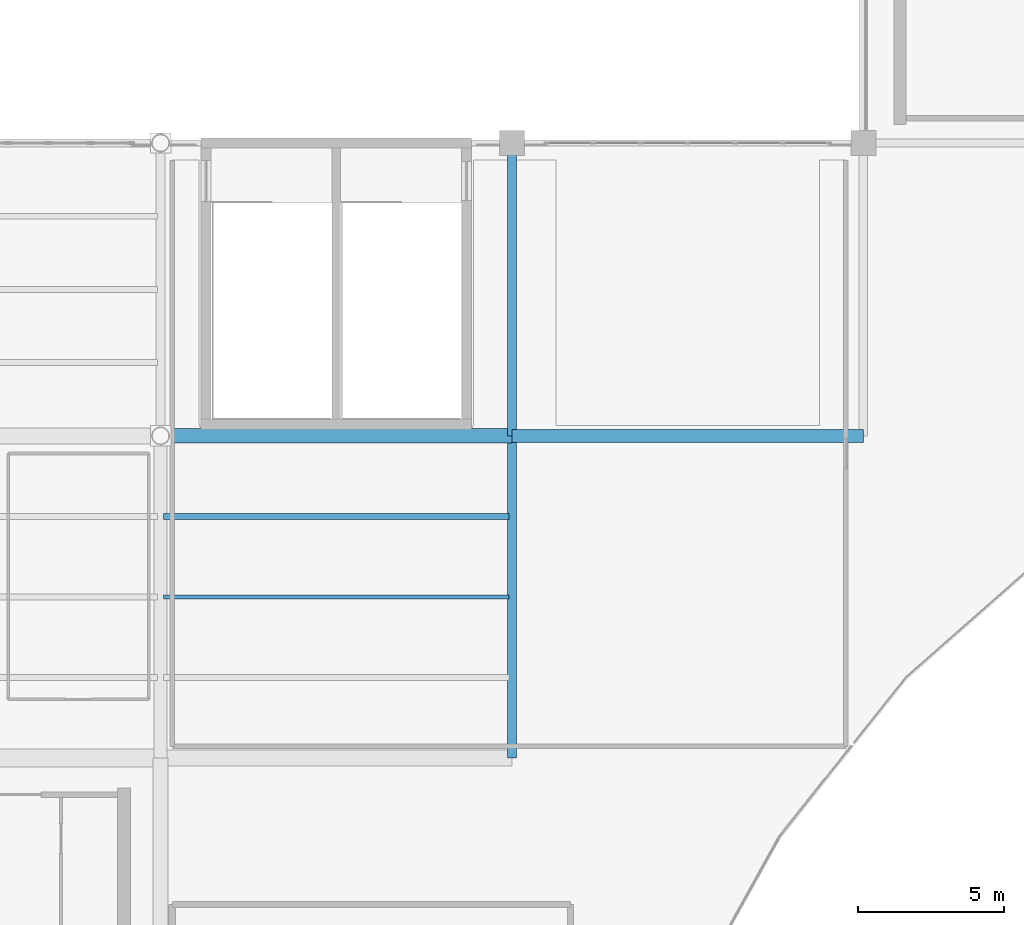
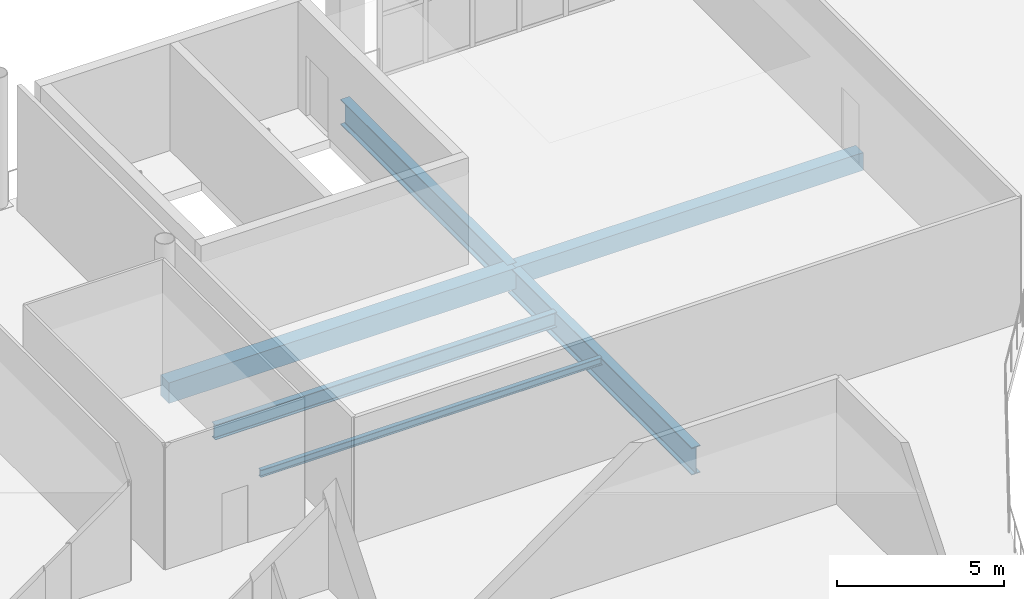
# One storey, part 24 of 49: 6 beams.
"""IFC4 building model written with IfcOpenShell, lengths in metres."""

from ifc_helpers import new_model, si_unit, direction, frame, origin, origin_2d, place, context, subcontext, project, spatial, rectangle, i_section, extrude, material, material_profile, profile_set, type_object, element, save


model = new_model("IFC4")

# Units and contexts
model_context = context("Model", 3, precision=1e-05, world=origin(), true_north=direction((0.0, 1.0)))
body_context = subcontext(model_context, "Body", "Model", "MODEL_VIEW")
ifc_project = project(units=[si_unit("LENGTHUNIT", "METRE"), si_unit("AREAUNIT", "SQUARE_METRE"), si_unit("VOLUMEUNIT", "CUBIC_METRE"), si_unit("PLANEANGLEUNIT", "RADIAN"), si_unit("MASSUNIT", "GRAM", prefix="KILO")], contexts=[model_context])

# Site, building, storey
site_placement = place(None, origin())
site = spatial("IfcSite", under=ifc_project, at=site_placement, CompositionType="ELEMENT")
building_placement = place(site_placement, origin())
building = spatial("IfcBuilding", under=site, at=building_placement, Name="Brinegate Civic Arena", CompositionType="ELEMENT")
storey_placement = place(building_placement, frame((0.0, 0.0, 24.60009765625)))
storey = spatial("IfcBuildingStorey", under=building, at=storey_placement, Name="L05", CompositionType="ELEMENT", Elevation=24.60009765625)

# Beams
ifc_material_1 = material(Name="Steel S355", Category="steel")
ifc_material_profile_1 = material_profile(ifc_material_1, i_section(OverallWidth=0.300048828125, OverallDepth=1.0, WebThickness=0.01904296875, FlangeThickness=0.031982421875, FilletRadius=0.02392578125, at=origin_2d()), Name="W1000X321")
ifc_profile_set_1 = profile_set([ifc_material_profile_1], Name="Steel S355")
beam_type_1 = type_object("IfcBeamType", Name="GIRDER-W1000X321", PredefinedType="BEAM", material=ifc_profile_set_1)
beam_1_placement = place(storey_placement, frame((72.0, 93.0, -0.830078125), z_axis=(0.0, 1.0, 0.0), x_axis=(-1.0, 0.0, 0.0)))
element("IfcBeam", 1, at=beam_1_placement, inside=storey, type_object=beam_type_1, Name="Floor Girder BM-L05-GY-06-09", PredefinedType="BEAM", context=body_context, shape_type="SweptSolid", body=[
    extrude(i_section(OverallWidth=0.300048828125, OverallDepth=1.0, WebThickness=0.01904296875, FlangeThickness=0.031982421875, FilletRadius=0.02392578125, at=origin_2d()), origin(), (0.0, 0.0, 1.0), 11.0),
])
ifc_material_profile_2 = material_profile(ifc_material_1, i_section(OverallWidth=0.30810546875, OverallDepth=0.927001953125, WebThickness=0.01904296875, FlangeThickness=0.031982421875, FilletRadius=0.02392578125, at=origin_2d()), Name="W920X289")
ifc_profile_set_2 = profile_set([ifc_material_profile_2], Name="Steel S355")
beam_type_2 = type_object("IfcBeamType", Name="GIRDER-W920X289", PredefinedType="BEAM", material=ifc_profile_set_2)
beam_2_placement = place(storey_placement, frame((72.0, 104.0, -0.793212890625), z_axis=(0.0, 1.0, 0.0), x_axis=(-1.0, 0.0, 0.0)))
element("IfcBeam", 2, at=beam_2_placement, inside=storey, type_object=beam_type_2, Name="Floor Girder BM-L05-GY-06-10", PredefinedType="BEAM", context=body_context, shape_type="SweptSolid", body=[
    extrude(i_section(OverallWidth=0.30810546875, OverallDepth=0.927001953125, WebThickness=0.01904296875, FlangeThickness=0.031982421875, FilletRadius=0.02392578125, at=origin_2d()), origin(), (0.0, 0.0, 1.0), 10.0),
])
ifc_material_profile_3 = material_profile(ifc_material_1, i_section(OverallWidth=0.14794921875, OverallDepth=0.26611328125, WebThickness=0.008056640625, FlangeThickness=0.012939453125, FilletRadius=0.011962890625, at=origin_2d()), Name="W250X45")
ifc_profile_set_3 = profile_set([ifc_material_profile_3], Name="Steel S355")
beam_type_3 = type_object("IfcBeamType", Name="JOIST-W250X45", PredefinedType="JOIST", material=ifc_profile_set_3)
beam_3_placement = place(storey_placement, frame((60.10595703125, 98.5, -0.463134765625), z_axis=(1.0, 0.0, 0.0), x_axis=(0.0, 1.0, 0.0)))
element("IfcBeam", 3, at=beam_3_placement, inside=storey, type_object=beam_type_3, Name="Secondary Joist BM-L05-JX-05-09-2", PredefinedType="JOIST", context=body_context, shape_type="SweptSolid", body=[
    extrude(i_section(OverallWidth=0.14794921875, OverallDepth=0.26611328125, WebThickness=0.008056640625, FlangeThickness=0.012939453125, FilletRadius=0.011962890625, at=origin_2d()), origin(), (0.0, 0.0, 1.0), 11.7880859375),
])
ifc_material_profile_4 = material_profile(ifc_material_1, i_section(OverallWidth=0.2119140625, OverallDepth=0.5439453125, WebThickness=0.012939453125, FlangeThickness=0.02099609375, FilletRadius=0.01611328125, at=origin_2d()), Name="W530X123")
ifc_profile_set_4 = profile_set([ifc_material_profile_4], Name="Steel S355")
beam_type_4 = type_object("IfcBeamType", Name="JOIST-W530X123", PredefinedType="JOIST", material=ifc_profile_set_4)
beam_4_placement = place(storey_placement, frame((60.10595703125, 101.25, -0.60205078125), z_axis=(1.0, 0.0, 0.0), x_axis=(0.0, 1.0, 0.0)))
element("IfcBeam", 4, at=beam_4_placement, inside=storey, type_object=beam_type_4, Name="Secondary Joist BM-L05-JX-05-09-3", PredefinedType="JOIST", context=body_context, shape_type="SweptSolid", body=[
    extrude(i_section(OverallWidth=0.2119140625, OverallDepth=0.5439453125, WebThickness=0.012939453125, FlangeThickness=0.02099609375, FilletRadius=0.01611328125, at=origin_2d()), origin(), (0.0, 0.0, 1.0), 11.7880859375),
])
ifc_material_2 = material(Name="Concrete C50/60", Category="concrete")
ifc_material_profile_5 = material_profile(ifc_material_2, rectangle(XDim=0.449951171875, YDim=0.64990234375, at=origin_2d()), Name="RCB450X650")
ifc_profile_set_5 = profile_set([ifc_material_profile_5], Name="Concrete C50/60")
beam_type_5 = type_object("IfcBeamType", Name="RCG-450X650", PredefinedType="BEAM", material=ifc_profile_set_5)
beam_5_placement = place(storey_placement, frame((72.0, 104.0, -0.655029296875), z_axis=(1.0, 0.0, 0.0), x_axis=(0.0, 1.0, 0.0)))
element("IfcBeam", 5, at=beam_5_placement, inside=storey, type_object=beam_type_5, Name="Floor Girder BM-L05-GX-06-10", PredefinedType="BEAM", context=body_context, shape_type="SweptSolid", body=[
    extrude(rectangle(XDim=0.449951171875, YDim=0.64990234375, at=origin_2d()), origin(), (0.0, 0.0, 1.0), 12.0),
])
ifc_material_profile_6 = material_profile(ifc_material_2, rectangle(XDim=0.5, YDim=0.75, at=origin_2d()), Name="RCB500X750")
ifc_profile_set_6 = profile_set([ifc_material_profile_6], Name="Concrete C50/60")
beam_type_6 = type_object("IfcBeamType", Name="RCG-500X750", PredefinedType="BEAM", material=ifc_profile_set_6)
beam_6_placement = place(storey_placement, frame((60.0, 104.0, -0.705078125), z_axis=(1.0, 0.0, 0.0), x_axis=(0.0, 1.0, 0.0)))
element("IfcBeam", 6, at=beam_6_placement, inside=storey, type_object=beam_type_6, Name="Floor Girder BM-L05-GX-05-10", PredefinedType="BEAM", context=body_context, shape_type="SweptSolid", body=[
    extrude(rectangle(XDim=0.5, YDim=0.75, at=origin_2d()), origin(), (0.0, 0.0, 1.0), 12.0),
])

save(model, "model.ifc")
